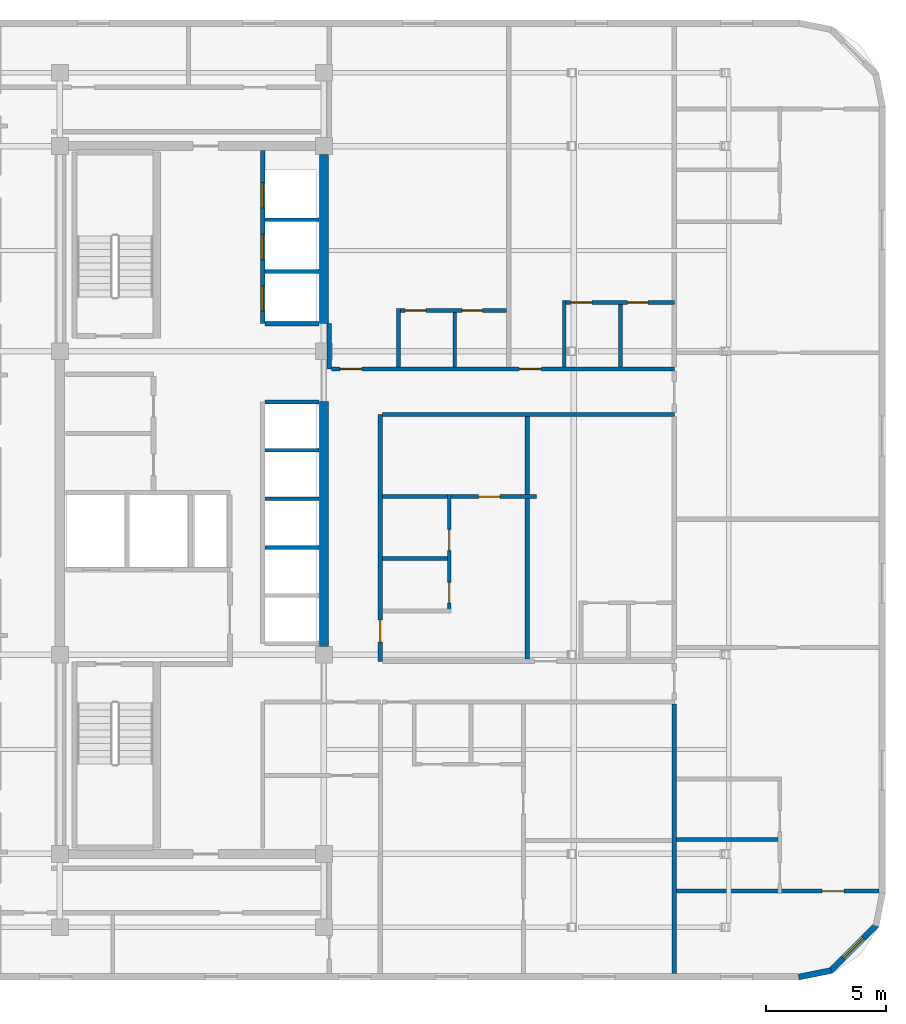
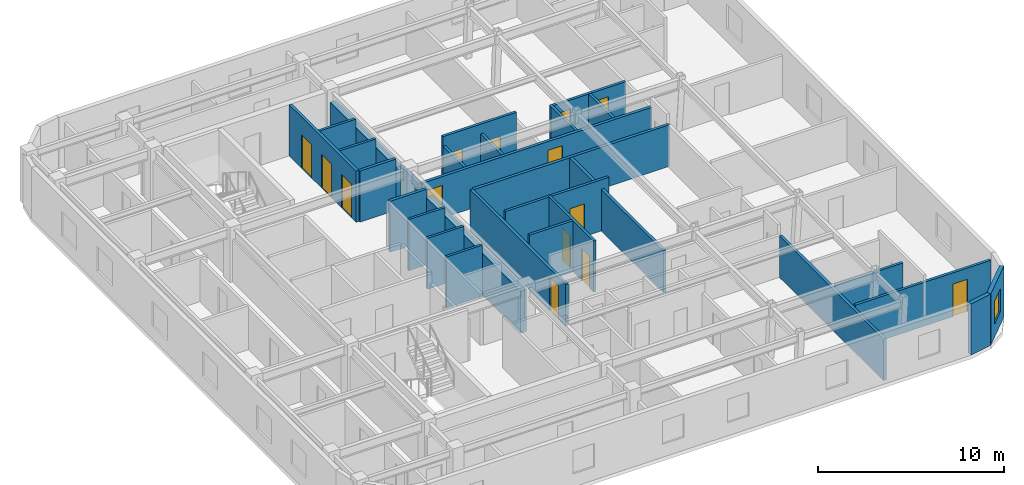
# One storey, part 5 of 8: 29 walls, 14 doors, 1 window, 15 openings.
"""IFC4 building model written with IfcOpenShell, lengths in metres."""

from ifc_helpers import new_model, si_unit, direction, frame, frame_2d, origin, place, context, subcontext, project, spatial, rectangle, extrude, material, layer, layer_set, type_object, element, fill, save


model = new_model("IFC4")

# Units and contexts
model_context = context("Model", 3, precision=1e-05, world=origin(), true_north=direction((0.0, 1.0)))
body_context = subcontext(model_context, "Body", "Model", "MODEL_VIEW")
ifc_project = project(units=[si_unit("LENGTHUNIT", "METRE"), si_unit("AREAUNIT", "SQUARE_METRE"), si_unit("VOLUMEUNIT", "CUBIC_METRE"), si_unit("PLANEANGLEUNIT", "RADIAN"), si_unit("MASSUNIT", "GRAM", prefix="KILO")], contexts=[model_context])

# Site, building, storey
site_placement = place(None, origin())
site = spatial("IfcSite", under=ifc_project, at=site_placement, CompositionType="ELEMENT")
building_placement = place(site_placement, origin())
building = spatial("IfcBuilding", under=site, at=building_placement, Name="Ochreholt Gables", CompositionType="ELEMENT")
storey_placement = place(building_placement, frame((0.0, 0.0, 159.0)))
storey = spatial("IfcBuildingStorey", under=building, at=storey_placement, Name="L41", CompositionType="ELEMENT", Elevation=159.0)

# Walls
ifc_material_1 = material(Name="Concrete 50 MPa", Category="concrete")
ifc_layer_1 = layer(ifc_material_1, 0.3798828125, Name="Concrete 50 MPa")
ifc_layer_set_1 = layer_set([ifc_layer_1], Name="Concrete 50 MPa")
wall_type_1 = type_object("IfcWallType", Name="WALL-CSW-380", PredefinedType="SHEAR", material=ifc_layer_set_1)
wall_1_placement = place(storey_placement, frame((35.2099609375, 17.89990234375, 0.0), z_axis=(0.0, 0.0, 1.0), x_axis=(0.0, 1.0, 0.0)))
element("IfcWall", 1, at=wall_1_placement, inside=storey, type_object=wall_type_1, Name="L41 Core Central-East Shear Wall", PredefinedType="SHEAR", context=body_context, shape_type="SweptSolid", body=[
    extrude(rectangle(XDim=10.2001953125, YDim=0.3798828125, at=frame_2d((5.10009765625, 0.0))), origin(), (0.0, 0.0, 1.0), 2.748046875),
])
wall_2_placement = place(storey_placement, frame((35.2099609375, 31.35009765625, 0.0), z_axis=(0.0, 0.0, 1.0), x_axis=(0.0, 1.0, 0.0)))
element("IfcWall", 2, at=wall_2_placement, inside=storey, type_object=wall_type_1, Name="L41 Core North-East Shear Wall", PredefinedType="SHEAR", context=body_context, shape_type="SweptSolid", body=[
    extrude(rectangle(XDim=7.0498046875, YDim=0.3798828125, at=frame_2d((3.52490234375, 0.0))), origin(), (0.0, 0.0, 1.0), 2.748046875),
])
ifc_material_2 = material(Name="Precast concrete 40 MPa", Category="concrete")
ifc_layer_2 = layer(ifc_material_2, 0.25, Name="Precast concrete 40 MPa")
ifc_layer_set_2 = layer_set([ifc_layer_2], Name="Precast concrete 40 MPa")
wall_type_2 = type_object("IfcWallType", Name="WALL-EXT-CNR", PredefinedType="SOLIDWALL", material=ifc_layer_set_2)
wall_3_placement = place(storey_placement, frame((54.9833984375, 4.124267578125, 0.0), z_axis=(0.0, 0.0, 1.0), x_axis=(0.980809899341, 0.19496651342, 0.0)))
element("IfcWall", 3, at=wall_3_placement, inside=storey, type_object=wall_type_2, Name="L41 Rounded Corner Wall SE-1", PredefinedType="SOLIDWALL", context=body_context, shape_type="SweptSolid", body=[
    extrude(rectangle(XDim=1.388671875, YDim=0.25, at=frame_2d((0.6943359375, 0.0))), origin(), (0.0, 0.0, 1.0), 3.360107421875),
])

# Wall, opening, window
wall_4_placement = place(storey_placement, frame((56.294921875, 4.367919921875, 0.0), z_axis=(0.0, 0.0, 1.0), x_axis=(0.707106781187, 0.707106781187, 0.0)))
wall_4 = element("IfcWall", 4, at=wall_4_placement, inside=storey, type_object=wall_type_2, Name="L41 Rounded Corner Wall SE-2", PredefinedType="SOLIDWALL", context=body_context, shape_type="SweptSolid", body=[
    extrude(rectangle(XDim=2.7392578125, YDim=0.25, at=frame_2d((1.36962890625, 0.0))), origin(), (0.0, 0.0, 1.0), 3.360107421875),
])
opening_1_placement = place(wall_4_placement, frame((0.769775390625, 0.0, 0.85009765625)))
opening_1 = element("IfcOpeningElement", 5, at=opening_1_placement, cuts=wall_4, Name="Opening WN-3", PredefinedType="OPENING", context=body_context, shape_type="SweptSolid", body=[
    extrude(rectangle(XDim=1.199951171875, YDim=1.5, at=frame_2d((0.60009765625, 0.75))), frame((0.0, 0.135009765625, 0.0), z_axis=(0.0, -1.0, 0.0), x_axis=(1.0, 0.0, 0.0)), (0.0, 0.0, 1.0), 0.27001953125),
])
ifc_material_3 = material(Name="Triple-Glazed Thermally Broken Aluminium Window", Category="aluminium")
window_type = type_object("IfcWindowType", Name="WIN-RES-1200", PartitioningType="SINGLE_PANEL", PredefinedType="WINDOW", material=ifc_material_3)
window_placement = place(opening_1_placement, origin())
window = element("IfcWindow", 6, at=window_placement, inside=storey, type_object=window_type, Name="L41 Corner Bedroom Window SE", OverallHeight=1.5, OverallWidth=1.199951171875, PartitioningType="SINGLE_PANEL", PredefinedType="WINDOW", context=body_context, shape_type="SweptSolid", body=[
    extrude(rectangle(XDim=1.199951171875, YDim=1.5, at=frame_2d((0.60009765625, 0.75))), frame((0.0, 0.030029296875, 0.0), z_axis=(0.0, -1.0, 0.0), x_axis=(1.0, 0.0, 0.0)), (0.0, 0.0, 1.0), 0.06005859375),
])
fill(opening_1, window)

# Wall, opening, door
ifc_material_4 = material(Name="Fire-Rated Gypsum Acoustic Partition", Category="gypsum")
ifc_layer_3 = layer(ifc_material_4, 0.179931640625, Name="Fire-Rated Gypsum Acoustic Partition")
ifc_layer_set_3 = layer_set([ifc_layer_3], Name="Fire-Rated Gypsum Acoustic Partition")
wall_type_3 = type_object("IfcWallType", Name="WALL-INT-CR180", PredefinedType="STANDARD", material=ifc_layer_set_3)
wall_5_placement = place(storey_placement, frame((37.550048828125, 17.280029296875, 0.0), z_axis=(0.0, 0.0, 1.0), x_axis=(0.0, 1.0, 0.0)))
wall_5 = element("IfcWall", 7, at=wall_5_placement, inside=storey, type_object=wall_type_3, Name="L41 Interior Wall WI-C2EM-L41", PredefinedType="STANDARD", context=body_context, shape_type="SweptSolid", body=[
    extrude(rectangle(XDim=10.280029296875, YDim=0.179931640625, at=frame_2d((5.14013671875, 0.0))), origin(), (0.0, 0.0, 1.0), 2.72998046875),
])
opening_2_placement = place(wall_5_placement, frame((0.79296875, 0.0, 0.0)))
opening_2 = element("IfcOpeningElement", 8, at=opening_2_placement, cuts=wall_5, Name="Opening D-UN1", PredefinedType="OPENING", context=body_context, shape_type="SweptSolid", body=[
    extrude(rectangle(XDim=0.919921875, YDim=2.14990234375, at=frame_2d((0.4599609375, 1.074951171875))), frame((0.0, 0.099853515625, 0.0), z_axis=(0.0, -1.0, 0.0), x_axis=(1.0, 0.0, 0.0)), (0.0, 0.0, 1.0), 0.199951171875),
])
ifc_material_5 = material(Name="Engineered Oak Timber", Category="wood")
door_type_1 = type_object("IfcDoorType", Name="DR-INT-UNT920", OperationType="NOTDEFINED", PredefinedType="DOOR", material=ifc_material_5)
door_1_placement = place(opening_2_placement, origin())
door_1 = element("IfcDoor", 9, at=door_1_placement, inside=storey, type_object=door_type_1, Name="L41 Door D-U-L41M1-ENT", OperationType="SINGLE_SWING_LEFT", OverallHeight=2.14990234375, OverallWidth=0.919921875, PredefinedType="DOOR", context=body_context, shape_type="SweptSolid", body=[
    extrude(rectangle(XDim=0.919921875, YDim=2.14990234375, at=frame_2d((0.4599609375, 1.074951171875))), frame((0.0, 0.02490234375, 0.0), z_axis=(0.0, -1.0, 0.0), x_axis=(1.0, 0.0, 0.0)), (0.0, 0.0, 1.0), 0.050048828125),
])
fill(opening_2, door_1)

# Walls
wall_6_placement = place(storey_placement, frame((37.639892578125, 27.56005859375, 0.0), z_axis=(0.0, 0.0, 1.0), x_axis=(1.0, 0.0, 0.0)))
element("IfcWall", 10, at=wall_6_placement, inside=storey, type_object=wall_type_3, Name="L41 Interior Wall WI-C2SN1-L41", PredefinedType="STANDARD", context=body_context, shape_type="SweptSolid", body=[
    extrude(rectangle(XDim=12.16015625, YDim=0.179931640625, at=frame_2d((6.080078125, 0.0))), origin(), (0.0, 0.0, 1.0), 2.72998046875),
])
wall_7_placement = place(storey_placement, frame((35.419921875, 29.4599609375, 0.0), z_axis=(0.0, 0.0, 1.0), x_axis=(0.0, 1.0, 0.0)))
element("IfcWall", 11, at=wall_7_placement, inside=storey, type_object=wall_type_3, Name="L41 Interior Wall WI-C2NCL-L41", PredefinedType="STANDARD", context=body_context, shape_type="SweptSolid", body=[
    extrude(rectangle(XDim=1.89013671875, YDim=0.179931640625, at=frame_2d((0.945068359375, 0.0))), origin(), (0.0, 0.0, 1.0), 2.72998046875),
])

# Wall, openings, doors
wall_8_placement = place(storey_placement, frame((35.510009765625, 29.4599609375, 0.0), z_axis=(0.0, 0.0, 1.0), x_axis=(1.0, 0.0, 0.0)))
wall_8 = element("IfcWall", 12, at=wall_8_placement, inside=storey, type_object=wall_type_3, Name="L41 Interior Wall WI-C2SN2-L41", PredefinedType="STANDARD", context=body_context, shape_type="SweptSolid", body=[
    extrude(rectangle(XDim=14.2900390625, YDim=0.179931640625, at=frame_2d((7.14501953125, 0.0))), origin(), (0.0, 0.0, 1.0), 2.72998046875),
])
opening_3_placement = place(wall_8_placement, frame((0.35009765625, 0.0, 0.0)))
opening_3 = element("IfcOpeningElement", 13, at=opening_3_placement, cuts=wall_8, Name="Opening D-UN1", PredefinedType="OPENING", context=body_context, shape_type="SweptSolid", body=[
    extrude(rectangle(XDim=0.919921875, YDim=2.14990234375, at=frame_2d((0.4599609375, 1.074951171875))), frame((0.0, 0.099853515625, 0.0), z_axis=(0.0, -1.0, 0.0), x_axis=(1.0, 0.0, 0.0)), (0.0, 0.0, 1.0), 0.199951171875),
])
opening_4_placement = place(wall_8_placement, frame((7.82763671875, 0.0, 0.0)))
opening_4 = element("IfcOpeningElement", 14, at=opening_4_placement, cuts=wall_8, Name="Opening D-UN1", PredefinedType="OPENING", context=body_context, shape_type="SweptSolid", body=[
    extrude(rectangle(XDim=0.919921875, YDim=2.14990234375, at=frame_2d((0.4599609375, 1.074951171875))), frame((0.0, 0.099853515625, 0.0), z_axis=(0.0, -1.0, 0.0), x_axis=(1.0, 0.0, 0.0)), (0.0, 0.0, 1.0), 0.199951171875),
])
door_2_placement = place(opening_3_placement, origin())
door_2 = element("IfcDoor", 15, at=door_2_placement, inside=storey, type_object=door_type_1, Name="L41 Door D-U-L41N1-ENT", OperationType="SINGLE_SWING_LEFT", OverallHeight=2.14990234375, OverallWidth=0.919921875, PredefinedType="DOOR", context=body_context, shape_type="SweptSolid", body=[
    extrude(rectangle(XDim=0.919921875, YDim=2.14990234375, at=frame_2d((0.4599609375, 1.074951171875))), frame((0.0, 0.02490234375, 0.0), z_axis=(0.0, -1.0, 0.0), x_axis=(1.0, 0.0, 0.0)), (0.0, 0.0, 1.0), 0.050048828125),
])
fill(opening_3, door_2)
door_3_placement = place(opening_4_placement, origin())
door_3 = element("IfcDoor", 16, at=door_3_placement, inside=storey, type_object=door_type_1, Name="L41 Door D-U-L41N2-ENT", OperationType="SINGLE_SWING_RIGHT", OverallHeight=2.14990234375, OverallWidth=0.919921875, PredefinedType="DOOR", context=body_context, shape_type="SweptSolid", body=[
    extrude(rectangle(XDim=0.919921875, YDim=2.14990234375, at=frame_2d((0.4599609375, 1.074951171875))), frame((0.0, 0.02490234375, 0.0), z_axis=(0.0, -1.0, 0.0), x_axis=(1.0, 0.0, 0.0)), (0.0, 0.0, 1.0), 0.050048828125),
])
fill(opening_4, door_3)

# Walls
ifc_material_6 = material(Name="Double-Stud Acoustic Demising Wall", Category="gypsum")
ifc_layer_4 = layer(ifc_material_6, 0.179931640625, Name="Double-Stud Acoustic Demising Wall")
ifc_layer_set_4 = layer_set([ifc_layer_4], Name="Double-Stud Acoustic Demising Wall")
wall_type_4 = type_object("IfcWallType", Name="WALL-INT-DM180", PredefinedType="PARTITIONING", material=ifc_layer_set_4)
wall_9_placement = place(storey_placement, frame((43.675048828125, 17.3701171875, 0.0), z_axis=(0.0, 0.0, 1.0), x_axis=(0.0, 1.0, 0.0)))
element("IfcWall", 17, at=wall_9_placement, inside=storey, type_object=wall_type_4, Name="L41 Interior Wall WI-C2UDM-L41", PredefinedType="PARTITIONING", context=body_context, shape_type="SweptSolid", body=[
    extrude(rectangle(XDim=10.099853515625, YDim=0.179931640625, at=frame_2d((5.0498046875, 0.0))), origin(), (0.0, 0.0, 1.0), 2.72998046875),
])
wall_10_placement = place(storey_placement, frame((49.800048828125, 4.280029296875, 0.0), z_axis=(0.0, 0.0, 1.0), x_axis=(0.0, 1.0, 0.0)))
element("IfcWall", 18, at=wall_10_placement, inside=storey, type_object=wall_type_4, Name="L41 Interior Wall WI-C2FEW1-L41", PredefinedType="PARTITIONING", context=body_context, shape_type="SweptSolid", body=[
    extrude(rectangle(XDim=11.2099609375, YDim=0.179931640625, at=frame_2d((5.60498046875, 0.0))), origin(), (0.0, 0.0, 1.0), 2.72998046875),
])

# Wall, openings, doors
ifc_material_7 = material(Name="Moisture-Resistant Plumbing Chase Wall", Category="gypsum")
ifc_layer_5 = layer(ifc_material_7, 0.159912109375, Name="Moisture-Resistant Plumbing Chase Wall")
ifc_layer_set_5 = layer_set([ifc_layer_5], Name="Moisture-Resistant Plumbing Chase Wall")
wall_type_5 = type_object("IfcWallType", Name="WALL-INT-PL160", PredefinedType="PLUMBINGWALL", material=ifc_layer_set_5)
wall_11_placement = place(storey_placement, frame((38.2275390625, 31.89990234375, 0.0), z_axis=(0.0, 0.0, 1.0), x_axis=(1.0, 0.0, 0.0)))
wall_11 = element("IfcWall", 19, at=wall_11_placement, inside=storey, type_object=wall_type_5, Name="L41 Interior Wall WU-L41N1-WY", PredefinedType="PLUMBINGWALL", context=body_context, shape_type="SweptSolid", body=[
    extrude(rectangle(XDim=4.580078125, YDim=0.159912109375, at=frame_2d((2.2900390625, 0.0))), origin(), (0.0, 0.0, 1.0), 3.360107421875),
])
opening_5_placement = place(wall_11_placement, frame((0.35009765625, 0.0, 0.0)))
opening_5 = element("IfcOpeningElement", 20, at=opening_5_placement, cuts=wall_11, Name="Opening D-GN2", PredefinedType="OPENING", context=body_context, shape_type="SweptSolid", body=[
    extrude(rectangle(XDim=0.8798828125, YDim=2.1201171875, at=frame_2d((0.43994140625, 1.06005859375))), frame((0.0, 0.08984375, 0.0), z_axis=(0.0, -1.0, 0.0), x_axis=(1.0, 0.0, 0.0)), (0.0, 0.0, 1.0), 0.179931640625),
])
opening_6_placement = place(wall_11_placement, frame((2.719970703125, 0.0, 0.0)))
opening_6 = element("IfcOpeningElement", 21, at=opening_6_placement, cuts=wall_11, Name="Opening D-BT1", PredefinedType="OPENING", context=body_context, shape_type="SweptSolid", body=[
    extrude(rectangle(XDim=0.860107421875, YDim=2.1201171875, at=frame_2d((0.43017578125, 1.06005859375))), frame((0.0, 0.08984375, 0.0), z_axis=(0.0, -1.0, 0.0), x_axis=(1.0, 0.0, 0.0)), (0.0, 0.0, 1.0), 0.179931640625),
])
door_type_2 = type_object("IfcDoorType", Name="DR-INT-BTH860", OperationType="NOTDEFINED", PredefinedType="DOOR", material=ifc_material_5)
door_4_placement = place(opening_6_placement, origin())
door_4 = element("IfcDoor", 22, at=door_4_placement, inside=storey, type_object=door_type_2, Name="L41 Door D-U-L41N1-BTH", OperationType="SINGLE_SWING_LEFT", OverallHeight=2.1201171875, OverallWidth=0.860107421875, PredefinedType="DOOR", context=body_context, shape_type="SweptSolid", body=[
    extrude(rectangle(XDim=0.860107421875, YDim=2.1201171875, at=frame_2d((0.43017578125, 1.06005859375))), frame((0.0, 0.02490234375, 0.0), z_axis=(0.0, -1.0, 0.0), x_axis=(1.0, 0.0, 0.0)), (0.0, 0.0, 1.0), 0.050048828125),
])
fill(opening_6, door_4)
door_type_3 = type_object("IfcDoorType", Name="DR-INT-GEN880", OperationType="NOTDEFINED", PredefinedType="DOOR", material=ifc_material_5)
door_5_placement = place(opening_5_placement, origin())
door_5 = element("IfcDoor", 23, at=door_5_placement, inside=storey, type_object=door_type_3, Name="L41 Door D-U-L41N1-KIT", OperationType="SINGLE_SWING_RIGHT", OverallHeight=2.1201171875, OverallWidth=0.8798828125, PredefinedType="DOOR", context=body_context, shape_type="SweptSolid", body=[
    extrude(rectangle(XDim=0.8798828125, YDim=2.1201171875, at=frame_2d((0.43994140625, 1.06005859375))), frame((0.0, 0.02490234375, 0.0), z_axis=(0.0, -1.0, 0.0), x_axis=(1.0, 0.0, 0.0)), (0.0, 0.0, 1.0), 0.050048828125),
])
fill(opening_5, door_5)

# Walls
wall_12_placement = place(storey_placement, frame((38.3076171875, 29.550048828125, 0.0), z_axis=(0.0, 0.0, 1.0), x_axis=(0.0, 1.0, 0.0)))
element("IfcWall", 24, at=wall_12_placement, inside=storey, type_object=wall_type_5, Name="L41 Interior Wall WU-L41N1-FY", PredefinedType="PLUMBINGWALL", context=body_context, shape_type="SweptSolid", body=[
    extrude(rectangle(XDim=2.429931640625, YDim=0.159912109375, at=frame_2d((1.21484375, 0.0))), origin(), (0.0, 0.0, 1.0), 2.72998046875),
])
wall_13_placement = place(storey_placement, frame((40.647705078125, 29.550048828125, 0.0), z_axis=(0.0, 0.0, 1.0), x_axis=(0.0, 1.0, 0.0)))
element("IfcWall", 25, at=wall_13_placement, inside=storey, type_object=wall_type_5, Name="L41 Interior Wall WU-L41N1-WK", PredefinedType="PLUMBINGWALL", context=body_context, shape_type="SweptSolid", body=[
    extrude(rectangle(XDim=2.27001953125, YDim=0.159912109375, at=frame_2d((1.135009765625, 0.0))), origin(), (0.0, 0.0, 1.0), 2.72998046875),
])

# Wall, openings, doors
wall_14_placement = place(storey_placement, frame((45.1298828125, 32.22998046875, 0.0), z_axis=(0.0, 0.0, 1.0), x_axis=(1.0, 0.0, 0.0)))
wall_14 = element("IfcWall", 26, at=wall_14_placement, inside=storey, type_object=wall_type_5, Name="L41 Interior Wall WU-L41N2-WY", PredefinedType="PLUMBINGWALL", context=body_context, shape_type="SweptSolid", body=[
    extrude(rectangle(XDim=4.670166015625, YDim=0.159912109375, at=frame_2d((2.3349609375, 0.0))), origin(), (0.0, 0.0, 1.0), 2.72998046875),
])
opening_7_placement = place(wall_14_placement, frame((0.35009765625, 0.0, 0.0)))
opening_7 = element("IfcOpeningElement", 27, at=opening_7_placement, cuts=wall_14, Name="Opening D-GN2", PredefinedType="OPENING", context=body_context, shape_type="SweptSolid", body=[
    extrude(rectangle(XDim=0.8798828125, YDim=2.1201171875, at=frame_2d((0.43994140625, 1.06005859375))), frame((0.0, 0.08984375, 0.0), z_axis=(0.0, -1.0, 0.0), x_axis=(1.0, 0.0, 0.0)), (0.0, 0.0, 1.0), 0.179931640625),
])
opening_8_placement = place(wall_14_placement, frame((2.719970703125, 0.0, 0.0)))
opening_8 = element("IfcOpeningElement", 28, at=opening_8_placement, cuts=wall_14, Name="Opening D-BT1", PredefinedType="OPENING", context=body_context, shape_type="SweptSolid", body=[
    extrude(rectangle(XDim=0.860107421875, YDim=2.1201171875, at=frame_2d((0.43017578125, 1.06005859375))), frame((0.0, 0.08984375, 0.0), z_axis=(0.0, -1.0, 0.0), x_axis=(1.0, 0.0, 0.0)), (0.0, 0.0, 1.0), 0.179931640625),
])
door_6_placement = place(opening_8_placement, origin())
door_6 = element("IfcDoor", 29, at=door_6_placement, inside=storey, type_object=door_type_2, Name="L41 Door D-U-L41N2-BTH", OperationType="SINGLE_SWING_RIGHT", OverallHeight=2.1201171875, OverallWidth=0.860107421875, PredefinedType="DOOR", context=body_context, shape_type="SweptSolid", body=[
    extrude(rectangle(XDim=0.860107421875, YDim=2.1201171875, at=frame_2d((0.43017578125, 1.06005859375))), frame((0.0, 0.02490234375, 0.0), z_axis=(0.0, -1.0, 0.0), x_axis=(1.0, 0.0, 0.0)), (0.0, 0.0, 1.0), 0.050048828125),
])
fill(opening_8, door_6)
door_7_placement = place(opening_7_placement, origin())
door_7 = element("IfcDoor", 30, at=door_7_placement, inside=storey, type_object=door_type_3, Name="L41 Door D-U-L41N2-KIT", OperationType="SINGLE_SWING_LEFT", OverallHeight=2.1201171875, OverallWidth=0.8798828125, PredefinedType="DOOR", context=body_context, shape_type="SweptSolid", body=[
    extrude(rectangle(XDim=0.8798828125, YDim=2.1201171875, at=frame_2d((0.43994140625, 1.06005859375))), frame((0.0, 0.02490234375, 0.0), z_axis=(0.0, -1.0, 0.0), x_axis=(1.0, 0.0, 0.0)), (0.0, 0.0, 1.0), 0.050048828125),
])
fill(opening_7, door_7)

# Walls
wall_15_placement = place(storey_placement, frame((45.2099609375, 29.550048828125, 0.0), z_axis=(0.0, 0.0, 1.0), x_axis=(0.0, 1.0, 0.0)))
element("IfcWall", 31, at=wall_15_placement, inside=storey, type_object=wall_type_5, Name="L41 Interior Wall WU-L41N2-FY", PredefinedType="PLUMBINGWALL", context=body_context, shape_type="SweptSolid", body=[
    extrude(rectangle(XDim=2.760009765625, YDim=0.159912109375, at=frame_2d((1.3798828125, 0.0))), origin(), (0.0, 0.0, 1.0), 2.72998046875),
])
wall_16_placement = place(storey_placement, frame((47.550048828125, 29.550048828125, 0.0), z_axis=(0.0, 0.0, 1.0), x_axis=(0.0, 1.0, 0.0)))
element("IfcWall", 32, at=wall_16_placement, inside=storey, type_object=wall_type_5, Name="L41 Interior Wall WU-L41N2-WK", PredefinedType="PLUMBINGWALL", context=body_context, shape_type="SweptSolid", body=[
    extrude(rectangle(XDim=2.599853515625, YDim=0.159912109375, at=frame_2d((1.2998046875, 0.0))), origin(), (0.0, 0.0, 1.0), 2.72998046875),
])

# Wall, openings, doors
wall_17_placement = place(storey_placement, frame((40.424072265625, 19.282958984375, 0.0), z_axis=(0.0, 0.0, 1.0), x_axis=(0.0, 1.0, 0.0)))
wall_17 = element("IfcWall", 33, at=wall_17_placement, inside=storey, type_object=wall_type_5, Name="L41 Interior Wall WU-L41M1-WX", PredefinedType="PLUMBINGWALL", context=body_context, shape_type="SweptSolid", body=[
    extrude(rectangle(XDim=4.944091796875, YDim=0.159912109375, at=frame_2d((2.47216796875, 0.0))), origin(), (0.0, 0.0, 1.0), 3.360107421875),
])
opening_9_placement = place(wall_17_placement, frame((0.419921875, 0.0, 0.0)))
opening_9 = element("IfcOpeningElement", 34, at=opening_9_placement, cuts=wall_17, Name="Opening D-BT1", PredefinedType="OPENING", context=body_context, shape_type="SweptSolid", body=[
    extrude(rectangle(XDim=0.860107421875, YDim=2.1201171875, at=frame_2d((0.43017578125, 1.06005859375))), frame((0.0, 0.08984375, 0.0), z_axis=(0.0, -1.0, 0.0), x_axis=(1.0, 0.0, 0.0)), (0.0, 0.0, 1.0), 0.179931640625),
])
opening_10_placement = place(wall_17_placement, frame((2.611328125, 0.0, 0.0)))
opening_10 = element("IfcOpeningElement", 35, at=opening_10_placement, cuts=wall_17, Name="Opening D-GN2", PredefinedType="OPENING", context=body_context, shape_type="SweptSolid", body=[
    extrude(rectangle(XDim=0.8798828125, YDim=2.1201171875, at=frame_2d((0.43994140625, 1.06005859375))), frame((0.0, 0.08984375, 0.0), z_axis=(0.0, -1.0, 0.0), x_axis=(1.0, 0.0, 0.0)), (0.0, 0.0, 1.0), 0.179931640625),
])
door_8_placement = place(opening_9_placement, origin())
door_8 = element("IfcDoor", 36, at=door_8_placement, inside=storey, type_object=door_type_2, Name="L41 Door D-U-L41M1-BTH", OperationType="SINGLE_SWING_RIGHT", OverallHeight=2.1201171875, OverallWidth=0.860107421875, PredefinedType="DOOR", context=body_context, shape_type="SweptSolid", body=[
    extrude(rectangle(XDim=0.860107421875, YDim=2.1201171875, at=frame_2d((0.43017578125, 1.06005859375))), frame((0.0, 0.02490234375, 0.0), z_axis=(0.0, -1.0, 0.0), x_axis=(1.0, 0.0, 0.0)), (0.0, 0.0, 1.0), 0.050048828125),
])
fill(opening_9, door_8)
door_9_placement = place(opening_10_placement, origin())
door_9 = element("IfcDoor", 37, at=door_9_placement, inside=storey, type_object=door_type_3, Name="L41 Door D-U-L41M1-KIT", OperationType="SINGLE_SWING_LEFT", OverallHeight=2.1201171875, OverallWidth=0.8798828125, PredefinedType="DOOR", context=body_context, shape_type="SweptSolid", body=[
    extrude(rectangle(XDim=0.8798828125, YDim=2.1201171875, at=frame_2d((0.43994140625, 1.06005859375))), frame((0.0, 0.02490234375, 0.0), z_axis=(0.0, -1.0, 0.0), x_axis=(1.0, 0.0, 0.0)), (0.0, 0.0, 1.0), 0.050048828125),
])
fill(opening_10, door_9)

# Walls
wall_18_placement = place(storey_placement, frame((37.639892578125, 21.564453125, 0.0), z_axis=(0.0, 0.0, 1.0), x_axis=(1.0, 0.0, 0.0)))
element("IfcWall", 38, at=wall_18_placement, inside=storey, type_object=wall_type_5, Name="L41 Interior Wall WU-L41M1-WK", PredefinedType="PLUMBINGWALL", context=body_context, shape_type="SweptSolid", body=[
    extrude(rectangle(XDim=2.7041015625, YDim=0.159912109375, at=frame_2d((1.35205078125, 0.0))), origin(), (0.0, 0.0, 1.0), 3.360107421875),
])
wall_19_placement = place(storey_placement, frame((49.889892578125, 9.85205078125, 0.0), z_axis=(0.0, 0.0, 1.0), x_axis=(1.0, 0.0, 0.0)))
element("IfcWall", 39, at=wall_19_placement, inside=storey, type_object=wall_type_5, Name="L41 Interior Wall WU-L41FES-WK", PredefinedType="PLUMBINGWALL", context=body_context, shape_type="SweptSolid", body=[
    extrude(rectangle(XDim=4.22021484375, YDim=0.159912109375, at=frame_2d((2.110107421875, 0.0))), origin(), (0.0, 0.0, 1.0), 2.87890625),
])

# Wall, opening, door
ifc_material_8 = material(Name="Gypsum Acoustic Stud Partition", Category="gypsum")
ifc_layer_6 = layer(ifc_material_8, 0.1650390625, Name="Gypsum Acoustic Stud Partition")
ifc_layer_set_6 = layer_set([ifc_layer_6], Name="Gypsum Acoustic Stud Partition")
wall_type_6 = type_object("IfcWallType", Name="WALL-INT-PT165", PredefinedType="PARTITIONING", material=ifc_layer_set_6)
wall_20_placement = place(storey_placement, frame((37.639892578125, 24.136962890625, 0.0), z_axis=(0.0, 0.0, 1.0), x_axis=(1.0, 0.0, 0.0)))
wall_20 = element("IfcWall", 40, at=wall_20_placement, inside=storey, type_object=wall_type_6, Name="L41 Interior Wall WU-L41M1-MN", PredefinedType="PARTITIONING", context=body_context, shape_type="SweptSolid", body=[
    extrude(rectangle(XDim=6.425048828125, YDim=0.1650390625, at=frame_2d((3.21240234375, 0.0))), origin(), (0.0, 0.0, 1.0), 3.360107421875),
])
opening_11_placement = place(wall_20_placement, frame((4.00439453125, 0.0, 0.0)))
opening_11 = element("IfcOpeningElement", 41, at=opening_11_placement, cuts=wall_20, Name="Opening D-BD1", PredefinedType="OPENING", context=body_context, shape_type="SweptSolid", body=[
    extrude(rectangle(XDim=0.89990234375, YDim=2.139892578125, at=frame_2d((0.449951171875, 1.06982421875))), frame((0.0, 0.092529296875, 0.0), z_axis=(0.0, -1.0, 0.0), x_axis=(1.0, 0.0, 0.0)), (0.0, 0.0, 1.0), 0.18505859375),
])
door_type_4 = type_object("IfcDoorType", Name="DR-INT-BED900", OperationType="NOTDEFINED", PredefinedType="DOOR", material=ifc_material_5)
door_10_placement = place(opening_11_placement, origin())
door_10 = element("IfcDoor", 42, at=door_10_placement, inside=storey, type_object=door_type_4, Name="L41 Door D-U-L41M1-BD1", OperationType="SINGLE_SWING_RIGHT", OverallHeight=2.139892578125, OverallWidth=0.89990234375, PredefinedType="DOOR", context=body_context, shape_type="SweptSolid", body=[
    extrude(rectangle(XDim=0.89990234375, YDim=2.139892578125, at=frame_2d((0.449951171875, 1.06982421875))), frame((0.0, 0.02490234375, 0.0), z_axis=(0.0, -1.0, 0.0), x_axis=(1.0, 0.0, 0.0)), (0.0, 0.0, 1.0), 0.050048828125),
])
fill(opening_11, door_10)

wall_21_placement = place(storey_placement, frame((49.889892578125, 7.699951171875, 0.0), z_axis=(0.0, 0.0, 1.0), x_axis=(1.0, 0.0, 0.0)))
wall_21 = element("IfcWall", 43, at=wall_21_placement, inside=storey, type_object=wall_type_6, Name="L41 Interior Wall WU-L41FES-MN", PredefinedType="PARTITIONING", context=body_context, shape_type="SweptSolid", body=[
    extrude(rectangle(XDim=8.43017578125, YDim=0.1650390625, at=frame_2d((4.215087890625, 0.0))), origin(), (0.0, 0.0, 1.0), 2.87890625),
])
opening_12_placement = place(wall_21_placement, frame((6.070068359375, 0.0, 0.0)))
opening_12 = element("IfcOpeningElement", 44, at=opening_12_placement, cuts=wall_21, Name="Opening D-BD1", PredefinedType="OPENING", context=body_context, shape_type="SweptSolid", body=[
    extrude(rectangle(XDim=0.89990234375, YDim=2.139892578125, at=frame_2d((0.449951171875, 1.06982421875))), frame((0.0, 0.092529296875, 0.0), z_axis=(0.0, -1.0, 0.0), x_axis=(1.0, 0.0, 0.0)), (0.0, 0.0, 1.0), 0.18505859375),
])
door_11_placement = place(opening_12_placement, origin())
door_11 = element("IfcDoor", 45, at=door_11_placement, inside=storey, type_object=door_type_4, Name="L41 Door D-U-L41FES-BD1", OperationType="SINGLE_SWING_RIGHT", OverallHeight=2.139892578125, OverallWidth=0.89990234375, PredefinedType="DOOR", context=body_context, shape_type="SweptSolid", body=[
    extrude(rectangle(XDim=0.89990234375, YDim=2.139892578125, at=frame_2d((0.449951171875, 1.06982421875))), frame((0.0, 0.02490234375, 0.0), z_axis=(0.0, -1.0, 0.0), x_axis=(1.0, 0.0, 0.0)), (0.0, 0.0, 1.0), 0.050048828125),
])
fill(opening_12, door_11)

# Walls
ifc_material_9 = material(Name="Gypsum Shaftliner and Steel Stud", Category="steel")
ifc_layer_7 = layer(ifc_material_9, 0.14990234375, Name="Gypsum Shaftliner and Steel Stud")
ifc_layer_set_7 = layer_set([ifc_layer_7], Name="Gypsum Shaftliner and Steel Stud")
wall_type_7 = type_object("IfcWallType", Name="WALL-INT-SH150", PredefinedType="STANDARD", material=ifc_layer_set_7)
for number, where, z_axis, x_axis, name in (
    (46, (32.739990234375, 22.02001953125, 0.0), (0.0, 0.0, 1.0), (1.0, 0.0, 0.0), "L41 Interior Wall WI-LFHE-DH2-L41"),
    (47, (32.739990234375, 24.050048828125, 0.0), (0.0, 0.0, 1.0), (1.0, 0.0, 0.0), "L41 Interior Wall WI-LFHE-DHE-L41"),
    (48, (32.739990234375, 26.070068359375, 0.0), (0.0, 0.0, 1.0), (1.0, 0.0, 0.0), "L41 Interior Wall WI-LFHE-DEX1-L41"),
    (49, (32.739990234375, 33.52001953125, 0.0), (0.0, 0.0, 1.0), (1.0, 0.0, 0.0), "L41 Interior Wall WI-LFM-D1-L41"),
    (50, (32.739990234375, 35.669921875, 0.0), (0.0, 0.0, 1.0), (1.0, 0.0, 0.0), "L41 Interior Wall WI-LFM-D2-L41"),
):
    element("IfcWall", number, at=place(storey_placement, frame(where, z_axis=z_axis, x_axis=x_axis)), inside=storey, type_object=wall_type_7, Name=name, PredefinedType="STANDARD", context=body_context, shape_type="SweptSolid", body=[
        extrude(rectangle(XDim=2.260009765625, YDim=0.14990234375, at=frame_2d((1.1298828125, 0.0))), origin(), (0.0, 0.0, 1.0), 3.360107421875),
    ])
ifc_layer_8 = layer(ifc_material_9, 0.179931640625, Name="Gypsum Shaftliner and Steel Stud")
ifc_layer_set_8 = layer_set([ifc_layer_8], Name="Gypsum Shaftliner and Steel Stud")
wall_type_8 = type_object("IfcWallType", Name="WALL-INT-SH180", PredefinedType="STANDARD", material=ifc_layer_set_8)
wall_22_placement = place(storey_placement, frame((32.739990234375, 28.080078125, 0.0), z_axis=(0.0, 0.0, 1.0), x_axis=(1.0, 0.0, 0.0)))
element("IfcWall", 51, at=wall_22_placement, inside=storey, type_object=wall_type_8, Name="L41 Interior Wall WI-LFHE-N-L41", PredefinedType="STANDARD", context=body_context, shape_type="SweptSolid", body=[
    extrude(rectangle(XDim=2.260009765625, YDim=0.179931640625, at=frame_2d((1.1298828125, 0.0))), origin(), (0.0, 0.0, 1.0), 3.360107421875),
])

# Wall, openings, doors
wall_23_placement = place(storey_placement, frame((32.64990234375, 31.35009765625, 0.0), z_axis=(0.0, 0.0, 1.0), x_axis=(0.0, 1.0, 0.0)))
wall_23 = element("IfcWall", 52, at=wall_23_placement, inside=storey, type_object=wall_type_8, Name="L41 Interior Wall WI-LFM-FR-L41", PredefinedType="STANDARD", context=body_context, shape_type="SweptSolid", body=[
    extrude(rectangle(XDim=7.2099609375, YDim=0.179931640625, at=frame_2d((3.60498046875, 0.0))), origin(), (0.0, 0.0, 1.0), 3.360107421875),
])
opening_13_placement = place(wall_23_placement, frame((0.52001953125, 0.0, 0.0)))
opening_13 = element("IfcOpeningElement", 53, at=opening_13_placement, cuts=wall_23, Name="Opening LD-PX", PredefinedType="OPENING", context=body_context, shape_type="SweptSolid", body=[
    extrude(rectangle(XDim=1.050048828125, YDim=2.199951171875, at=frame_2d((0.52490234375, 1.10009765625))), frame((0.0, 0.099853515625, 0.0), z_axis=(0.0, -1.0, 0.0), x_axis=(1.0, 0.0, 0.0)), (0.0, 0.0, 1.0), 0.199951171875),
])
opening_14_placement = place(wall_23_placement, frame((2.669921875, 0.0, 0.0)))
opening_14 = element("IfcOpeningElement", 54, at=opening_14_placement, cuts=wall_23, Name="Opening LD-PX", PredefinedType="OPENING", context=body_context, shape_type="SweptSolid", body=[
    extrude(rectangle(XDim=1.050048828125, YDim=2.199951171875, at=frame_2d((0.52490234375, 1.10009765625))), frame((0.0, 0.099853515625, 0.0), z_axis=(0.0, -1.0, 0.0), x_axis=(1.0, 0.0, 0.0)), (0.0, 0.0, 1.0), 0.199951171875),
])
opening_15_placement = place(wall_23_placement, frame((4.820068359375, 0.0, 0.0)))
opening_15 = element("IfcOpeningElement", 55, at=opening_15_placement, cuts=wall_23, Name="Opening LD-PX", PredefinedType="OPENING", context=body_context, shape_type="SweptSolid", body=[
    extrude(rectangle(XDim=1.050048828125, YDim=2.199951171875, at=frame_2d((0.52490234375, 1.10009765625))), frame((0.0, 0.099853515625, 0.0), z_axis=(0.0, -1.0, 0.0), x_axis=(1.0, 0.0, 0.0)), (0.0, 0.0, 1.0), 0.199951171875),
])
ifc_material_10 = material(Name="Stainless Steel", Category="steel")
door_type_5 = type_object("IfcDoorType", Name="DR-LFT-PX1050", OperationType="NOTDEFINED", PredefinedType="DOOR", material=ifc_material_10)
door_12_placement = place(opening_13_placement, origin())
door_12 = element("IfcDoor", 56, at=door_12_placement, inside=storey, type_object=door_type_5, Name="L41 Door LD-M1-L41", OperationType="SLIDING_TO_LEFT", OverallHeight=2.199951171875, OverallWidth=1.050048828125, PredefinedType="DOOR", context=body_context, shape_type="SweptSolid", body=[
    extrude(rectangle(XDim=1.050048828125, YDim=2.199951171875, at=frame_2d((0.52490234375, 1.10009765625))), frame((0.0, 0.02490234375, 0.0), z_axis=(0.0, -1.0, 0.0), x_axis=(1.0, 0.0, 0.0)), (0.0, 0.0, 1.0), 0.050048828125),
])
fill(opening_13, door_12)
door_13_placement = place(opening_14_placement, origin())
door_13 = element("IfcDoor", 57, at=door_13_placement, inside=storey, type_object=door_type_5, Name="L41 Door LD-M2-L41", OperationType="SLIDING_TO_LEFT", OverallHeight=2.199951171875, OverallWidth=1.050048828125, PredefinedType="DOOR", context=body_context, shape_type="SweptSolid", body=[
    extrude(rectangle(XDim=1.050048828125, YDim=2.199951171875, at=frame_2d((0.52490234375, 1.10009765625))), frame((0.0, 0.02490234375, 0.0), z_axis=(0.0, -1.0, 0.0), x_axis=(1.0, 0.0, 0.0)), (0.0, 0.0, 1.0), 0.050048828125),
])
fill(opening_14, door_13)
door_14_placement = place(opening_15_placement, origin())
door_14 = element("IfcDoor", 58, at=door_14_placement, inside=storey, type_object=door_type_5, Name="L41 Door LD-M3-L41", OperationType="SLIDING_TO_LEFT", OverallHeight=2.199951171875, OverallWidth=1.050048828125, PredefinedType="DOOR", context=body_context, shape_type="SweptSolid", body=[
    extrude(rectangle(XDim=1.050048828125, YDim=2.199951171875, at=frame_2d((0.52490234375, 1.10009765625))), frame((0.0, 0.02490234375, 0.0), z_axis=(0.0, -1.0, 0.0), x_axis=(1.0, 0.0, 0.0)), (0.0, 0.0, 1.0), 0.050048828125),
])
fill(opening_15, door_14)

# Wall
wall_24_placement = place(storey_placement, frame((32.739990234375, 31.35009765625, 0.0), z_axis=(0.0, 0.0, 1.0), x_axis=(1.0, 0.0, 0.0)))
element("IfcWall", 59, at=wall_24_placement, inside=storey, type_object=wall_type_8, Name="L41 Interior Wall WI-LFM-S-L41", PredefinedType="STANDARD", context=body_context, shape_type="SweptSolid", body=[
    extrude(rectangle(XDim=2.260009765625, YDim=0.179931640625, at=frame_2d((1.1298828125, 0.0))), origin(), (0.0, 0.0, 1.0), 3.360107421875),
])

save(model, "model.ifc")
